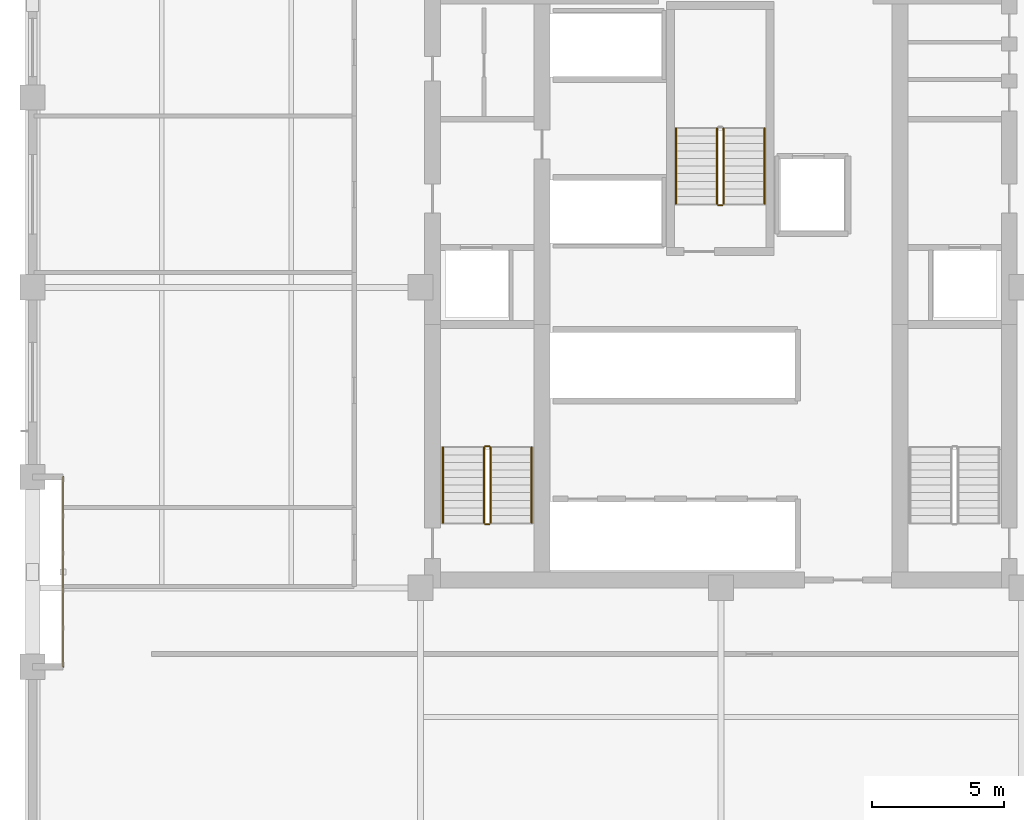
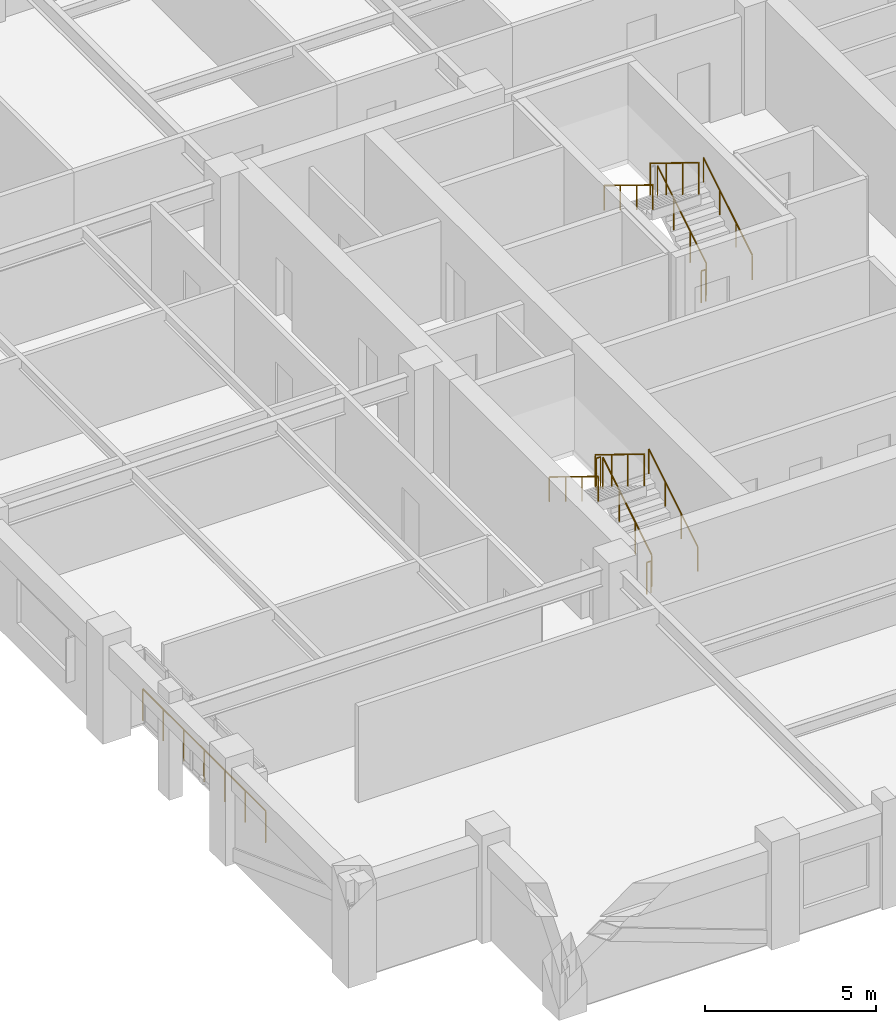
# One storey, part 13 of 14: 12 railings.
"""IFC4 building model written with IfcOpenShell, lengths in metres."""

from ifc_helpers import new_model, si_unit, direction, frame, origin, origin_2d, place, context, subcontext, project, spatial, circle, extrude, material, type_object, element, save


model = new_model("IFC4")

# Units and contexts
model_context = context("Model", 3, precision=1e-05, world=origin(), true_north=direction((0.0, 1.0)))
body_context = subcontext(model_context, "Body", "Model", "MODEL_VIEW")
ifc_project = project(units=[si_unit("LENGTHUNIT", "METRE"), si_unit("AREAUNIT", "SQUARE_METRE"), si_unit("VOLUMEUNIT", "CUBIC_METRE"), si_unit("PLANEANGLEUNIT", "RADIAN"), si_unit("MASSUNIT", "GRAM", prefix="KILO")], contexts=[model_context])

# Site, building, storey
site_placement = place(None, origin())
site = spatial("IfcSite", under=ifc_project, at=site_placement, CompositionType="ELEMENT")
building_placement = place(site_placement, origin())
building = spatial("IfcBuilding", under=site, at=building_placement, Name="Nhamokura Convention Tower", CompositionType="ELEMENT")
storey_placement = place(building_placement, frame((0.0, 0.0, 172.199951171875)))
storey = spatial("IfcBuildingStorey", under=building, at=storey_placement, Name="L42", CompositionType="ELEMENT", Elevation=172.199951171875)

# Railings
ifc_material_1 = material(Name="Anodised bronze stainless steel", Category="steel")
railing_type_1 = type_object("IfcRailingType", Name="StairWallHandrail_900", PredefinedType="HANDRAIL", material=ifc_material_1)
railing_1_placement = place(storey_placement, frame((24.85009765625, 23.10009765625, 0.175048828125)))
element("IfcRailing", 1, at=railing_1_placement, inside=storey, type_object=railing_type_1, Name="L42 ST-01 stair handrail 1", PredefinedType="HANDRAIL", context=body_context, shape_type="SweptSolid", body=[
    extrude(circle(Radius=0.02392578125, at=origin_2d()), frame((0.0, 0.0, 0.8759765625), z_axis=(0.0, 0.852159232446, 0.523282564737), x_axis=(-1.0, 0.0, 0.0)), (0.0, 0.0, 1.0), 3.34423828125),
    extrude(circle(Radius=0.02099609375, at=origin_2d()), origin(), (0.0, 0.0, 1.0), 0.851806640625),
    extrude(circle(Radius=0.02099609375, at=origin_2d()), frame((0.0, 0.949951171875, 0.583251953125)), (0.0, 0.0, 1.0), 0.851806640625),
    extrude(circle(Radius=0.02099609375, at=origin_2d()), frame((0.0, 1.89990234375, 1.166748046875)), (0.0, 0.0, 1.0), 0.851806640625),
    extrude(circle(Radius=0.02099609375, at=origin_2d()), frame((0.0, 2.849853515625, 1.75)), (0.0, 0.0, 1.0), 0.851806640625),
])
railing_2_placement = place(storey_placement, frame((21.5, 25.949951171875, 2.10009765625)))
element("IfcRailing", 2, at=railing_2_placement, inside=storey, type_object=railing_type_1, Name="L42 ST-01 stair handrail 2", PredefinedType="HANDRAIL", context=body_context, shape_type="SweptSolid", body=[
    extrude(circle(Radius=0.02392578125, at=origin_2d()), frame((0.0, 0.0, 0.8759765625), z_axis=(0.0, -0.852159232446, 0.523282564737), x_axis=(1.0, 0.0, 0.0)), (0.0, 0.0, 1.0), 3.34423828125),
    extrude(circle(Radius=0.02099609375, at=origin_2d()), origin(), (0.0, 0.0, 1.0), 0.851806640625),
    extrude(circle(Radius=0.02099609375, at=origin_2d()), frame((0.0, -0.949951171875, 0.583251953125)), (0.0, 0.0, 1.0), 0.851806640625),
    extrude(circle(Radius=0.02099609375, at=origin_2d()), frame((0.0, -1.89990234375, 1.166748046875)), (0.0, 0.0, 1.0), 0.851806640625),
    extrude(circle(Radius=0.02099609375, at=origin_2d()), frame((0.0, -2.849853515625, 1.75)), (0.0, 0.0, 1.0), 0.851806640625),
])
railing_3_placement = place(storey_placement, frame((33.64990234375, 35.14990234375, 0.175048828125)))
element("IfcRailing", 3, at=railing_3_placement, inside=storey, type_object=railing_type_1, Name="L42 ST-03 stair handrail 1", PredefinedType="HANDRAIL", context=body_context, shape_type="SweptSolid", body=[
    extrude(circle(Radius=0.02392578125, at=origin_2d()), frame((0.0, 0.0, 0.8759765625), z_axis=(0.0, 0.852179220489, 0.52325001306), x_axis=(-1.0, 0.0, 0.0)), (0.0, 0.0, 1.0), 3.344482421875),
    extrude(circle(Radius=0.02099609375, at=origin_2d()), origin(), (0.0, 0.0, 1.0), 0.851806640625),
    extrude(circle(Radius=0.02099609375, at=origin_2d()), frame((0.0, 0.949951171875, 0.583251953125)), (0.0, 0.0, 1.0), 0.851806640625),
    extrude(circle(Radius=0.02099609375, at=origin_2d()), frame((0.0, 1.900146484375, 1.166748046875)), (0.0, 0.0, 1.0), 0.851806640625),
    extrude(circle(Radius=0.02099609375, at=origin_2d()), frame((0.0, 2.85009765625, 1.75)), (0.0, 0.0, 1.0), 0.851806640625),
])
railing_4_placement = place(storey_placement, frame((30.300048828125, 38.0, 2.10009765625)))
element("IfcRailing", 4, at=railing_4_placement, inside=storey, type_object=railing_type_1, Name="L42 ST-03 stair handrail 2", PredefinedType="HANDRAIL", context=body_context, shape_type="SweptSolid", body=[
    extrude(circle(Radius=0.02392578125, at=origin_2d()), frame((0.0, 0.0, 0.8759765625), z_axis=(0.0, -0.852179220489, 0.52325001306), x_axis=(1.0, 0.0, 0.0)), (0.0, 0.0, 1.0), 3.344482421875),
    extrude(circle(Radius=0.02099609375, at=origin_2d()), origin(), (0.0, 0.0, 1.0), 0.851806640625),
    extrude(circle(Radius=0.02099609375, at=origin_2d()), frame((0.0, -0.949951171875, 0.583251953125)), (0.0, 0.0, 1.0), 0.851806640625),
    extrude(circle(Radius=0.02099609375, at=origin_2d()), frame((0.0, -1.900146484375, 1.166748046875)), (0.0, 0.0, 1.0), 0.851806640625),
    extrude(circle(Radius=0.02099609375, at=origin_2d()), frame((0.0, -2.85009765625, 1.75)), (0.0, 0.0, 1.0), 0.851806640625),
])
ifc_material_2 = material(Name="Painted tubular steel", Category="steel")
railing_type_2 = type_object("IfcRailingType", Name="StairWellGuardrail_1150", PredefinedType="GUARDRAIL", material=ifc_material_2)
railing_5_placement = place(storey_placement, frame((23.300048828125, 23.10009765625, 0.175048828125)))
element("IfcRailing", 5, at=railing_5_placement, inside=storey, type_object=railing_type_2, Name="L42 ST-01 stair guard 1", PredefinedType="GUARDRAIL", context=body_context, shape_type="SweptSolid", body=[
    extrude(circle(Radius=0.02392578125, at=origin_2d()), frame((0.0, 0.0, 1.1259765625), z_axis=(0.0, 0.852159232446, 0.523282564737), x_axis=(-1.0, 0.0, 0.0)), (0.0, 0.0, 1.0), 3.34423828125),
    extrude(circle(Radius=0.02099609375, at=origin_2d()), origin(), (0.0, 0.0, 1.0), 1.101806640625),
    extrude(circle(Radius=0.02099609375, at=origin_2d()), frame((0.0, 0.949951171875, 0.583251953125)), (0.0, 0.0, 1.0), 1.101806640625),
    extrude(circle(Radius=0.02099609375, at=origin_2d()), frame((0.0, 1.89990234375, 1.166748046875)), (0.0, 0.0, 1.0), 1.101806640625),
    extrude(circle(Radius=0.02099609375, at=origin_2d()), frame((0.0, 2.849853515625, 1.75)), (0.0, 0.0, 1.0), 1.101806640625),
])
railing_6_placement = place(storey_placement, frame((23.25, 26.0, 1.925048828125)))
element("IfcRailing", 6, at=railing_6_placement, inside=storey, type_object=railing_type_2, Name="L42 ST-01 stair guard 2", PredefinedType="GUARDRAIL", context=body_context, shape_type="SweptSolid", body=[
    extrude(circle(Radius=0.02392578125, at=origin_2d()), frame((0.0, 0.0, 1.1259765625), z_axis=(-1.0, 0.0, 0.0), x_axis=(0.0, -1.0, 0.0)), (0.0, 0.0, 1.0), 0.14990234375),
    extrude(circle(Radius=0.02099609375, at=origin_2d()), origin(), (0.0, 0.0, 1.0), 1.101806640625),
    extrude(circle(Radius=0.02099609375, at=origin_2d()), frame((-0.14990234375, 0.0, 0.0)), (0.0, 0.0, 1.0), 1.101806640625),
])
railing_7_placement = place(storey_placement, frame((23.050048828125, 25.949951171875, 2.10009765625)))
element("IfcRailing", 7, at=railing_7_placement, inside=storey, type_object=railing_type_2, Name="L42 ST-01 stair guard 3", PredefinedType="GUARDRAIL", context=body_context, shape_type="SweptSolid", body=[
    extrude(circle(Radius=0.02392578125, at=origin_2d()), frame((0.0, 0.0, 1.1259765625), z_axis=(0.0, -0.852159232446, 0.523282564737), x_axis=(1.0, 0.0, 0.0)), (0.0, 0.0, 1.0), 3.34423828125),
    extrude(circle(Radius=0.02099609375, at=origin_2d()), origin(), (0.0, 0.0, 1.0), 1.101806640625),
    extrude(circle(Radius=0.02099609375, at=origin_2d()), frame((0.0, -0.949951171875, 0.583251953125)), (0.0, 0.0, 1.0), 1.101806640625),
    extrude(circle(Radius=0.02099609375, at=origin_2d()), frame((0.0, -1.89990234375, 1.166748046875)), (0.0, 0.0, 1.0), 1.101806640625),
    extrude(circle(Radius=0.02099609375, at=origin_2d()), frame((0.0, -2.849853515625, 1.75)), (0.0, 0.0, 1.0), 1.101806640625),
])
railing_8_placement = place(storey_placement, frame((23.25, 23.050048828125, 0.0)))
element("IfcRailing", 8, at=railing_8_placement, inside=storey, type_object=railing_type_2, Name="L42 ST-01 stair guard 4", PredefinedType="GUARDRAIL", context=body_context, shape_type="SweptSolid", body=[
    extrude(circle(Radius=0.02392578125, at=origin_2d()), frame((0.0, 0.0, 1.1259765625), z_axis=(-1.0, 0.0, 0.0), x_axis=(0.0, -1.0, 0.0)), (0.0, 0.0, 1.0), 0.14990234375),
    extrude(circle(Radius=0.02099609375, at=origin_2d()), origin(), (0.0, 0.0, 1.0), 1.101806640625),
    extrude(circle(Radius=0.02099609375, at=origin_2d()), frame((-0.14990234375, 0.0, 0.0)), (0.0, 0.0, 1.0), 1.101806640625),
])
railing_9_placement = place(storey_placement, frame((32.10009765625, 35.14990234375, 0.175048828125)))
element("IfcRailing", 9, at=railing_9_placement, inside=storey, type_object=railing_type_2, Name="L42 ST-03 stair guard 1", PredefinedType="GUARDRAIL", context=body_context, shape_type="SweptSolid", body=[
    extrude(circle(Radius=0.02392578125, at=origin_2d()), frame((0.0, 0.0, 1.1259765625), z_axis=(0.0, 0.852179220489, 0.52325001306), x_axis=(-1.0, 0.0, 0.0)), (0.0, 0.0, 1.0), 3.344482421875),
    extrude(circle(Radius=0.02099609375, at=origin_2d()), origin(), (0.0, 0.0, 1.0), 1.101806640625),
    extrude(circle(Radius=0.02099609375, at=origin_2d()), frame((0.0, 0.949951171875, 0.583251953125)), (0.0, 0.0, 1.0), 1.101806640625),
    extrude(circle(Radius=0.02099609375, at=origin_2d()), frame((0.0, 1.900146484375, 1.166748046875)), (0.0, 0.0, 1.0), 1.101806640625),
    extrude(circle(Radius=0.02099609375, at=origin_2d()), frame((0.0, 2.85009765625, 1.75)), (0.0, 0.0, 1.0), 1.101806640625),
])
railing_10_placement = place(storey_placement, frame((31.85009765625, 38.0, 2.10009765625)))
element("IfcRailing", 10, at=railing_10_placement, inside=storey, type_object=railing_type_2, Name="L42 ST-03 stair guard 3", PredefinedType="GUARDRAIL", context=body_context, shape_type="SweptSolid", body=[
    extrude(circle(Radius=0.02392578125, at=origin_2d()), frame((0.0, 0.0, 1.1259765625), z_axis=(0.0, -0.852179220489, 0.52325001306), x_axis=(1.0, 0.0, 0.0)), (0.0, 0.0, 1.0), 3.344482421875),
    extrude(circle(Radius=0.02099609375, at=origin_2d()), origin(), (0.0, 0.0, 1.0), 1.101806640625),
    extrude(circle(Radius=0.02099609375, at=origin_2d()), frame((0.0, -0.949951171875, 0.583251953125)), (0.0, 0.0, 1.0), 1.101806640625),
    extrude(circle(Radius=0.02099609375, at=origin_2d()), frame((0.0, -1.900146484375, 1.166748046875)), (0.0, 0.0, 1.0), 1.101806640625),
    extrude(circle(Radius=0.02099609375, at=origin_2d()), frame((0.0, -2.85009765625, 1.75)), (0.0, 0.0, 1.0), 1.101806640625),
])
railing_11_placement = place(storey_placement, frame((32.050048828125, 35.10009765625, 0.0)))
element("IfcRailing", 11, at=railing_11_placement, inside=storey, type_object=railing_type_2, Name="L42 ST-03 stair guard 4", PredefinedType="GUARDRAIL", context=body_context, shape_type="SweptSolid", body=[
    extrude(circle(Radius=0.02392578125, at=origin_2d()), frame((0.0, 0.0, 1.1259765625), z_axis=(-1.0, 0.0, 0.0), x_axis=(0.0, -1.0, 0.0)), (0.0, 0.0, 1.0), 0.150146484375),
    extrude(circle(Radius=0.02099609375, at=origin_2d()), origin(), (0.0, 0.0, 1.0), 1.101806640625),
    extrude(circle(Radius=0.02099609375, at=origin_2d()), frame((-0.150146484375, 0.0, 0.0)), (0.0, 0.0, 1.0), 1.101806640625),
])
ifc_material_3 = material(Name="Anodised bronze stainless steel", Category="steel")
railing_type_3 = type_object("IfcRailingType", Name="TerraceGuardrail_1150", PredefinedType="GUARDRAIL", material=ifc_material_3)
railing_12_placement = place(storey_placement, frame((7.14990234375, 17.666748046875, 0.0)))
element("IfcRailing", 12, at=railing_12_placement, inside=storey, type_object=railing_type_3, Name="L42 Scale-Slot Edge Guardrail WEST 1", PredefinedType="GUARDRAIL", context=body_context, shape_type="SweptSolid", body=[
    extrude(circle(Radius=0.02392578125, at=origin_2d()), frame((0.0, 0.0, 1.1259765625), z_axis=(0.0, 1.0, 0.0), x_axis=(-1.0, 0.0, 0.0)), (0.0, 0.0, 1.0), 7.16650390625),
    extrude(circle(Radius=0.02099609375, at=origin_2d()), origin(), (0.0, 0.0, 1.0), 1.101806640625),
    extrude(circle(Radius=0.02099609375, at=origin_2d()), frame((0.0, 1.1943359375, 0.0)), (0.0, 0.0, 1.0), 1.101806640625),
    extrude(circle(Radius=0.02099609375, at=origin_2d()), frame((0.0, 2.388916015625, 0.0)), (0.0, 0.0, 1.0), 1.101806640625),
    extrude(circle(Radius=0.02099609375, at=origin_2d()), frame((0.0, 3.583251953125, 0.0)), (0.0, 0.0, 1.0), 1.101806640625),
    extrude(circle(Radius=0.02099609375, at=origin_2d()), frame((0.0, 4.777587890625, 0.0)), (0.0, 0.0, 1.0), 1.101806640625),
    extrude(circle(Radius=0.02099609375, at=origin_2d()), frame((0.0, 5.97216796875, 0.0)), (0.0, 0.0, 1.0), 1.101806640625),
    extrude(circle(Radius=0.02099609375, at=origin_2d()), frame((0.0, 7.16650390625, 0.0)), (0.0, 0.0, 1.0), 1.101806640625),
])

save(model, "model.ifc")
